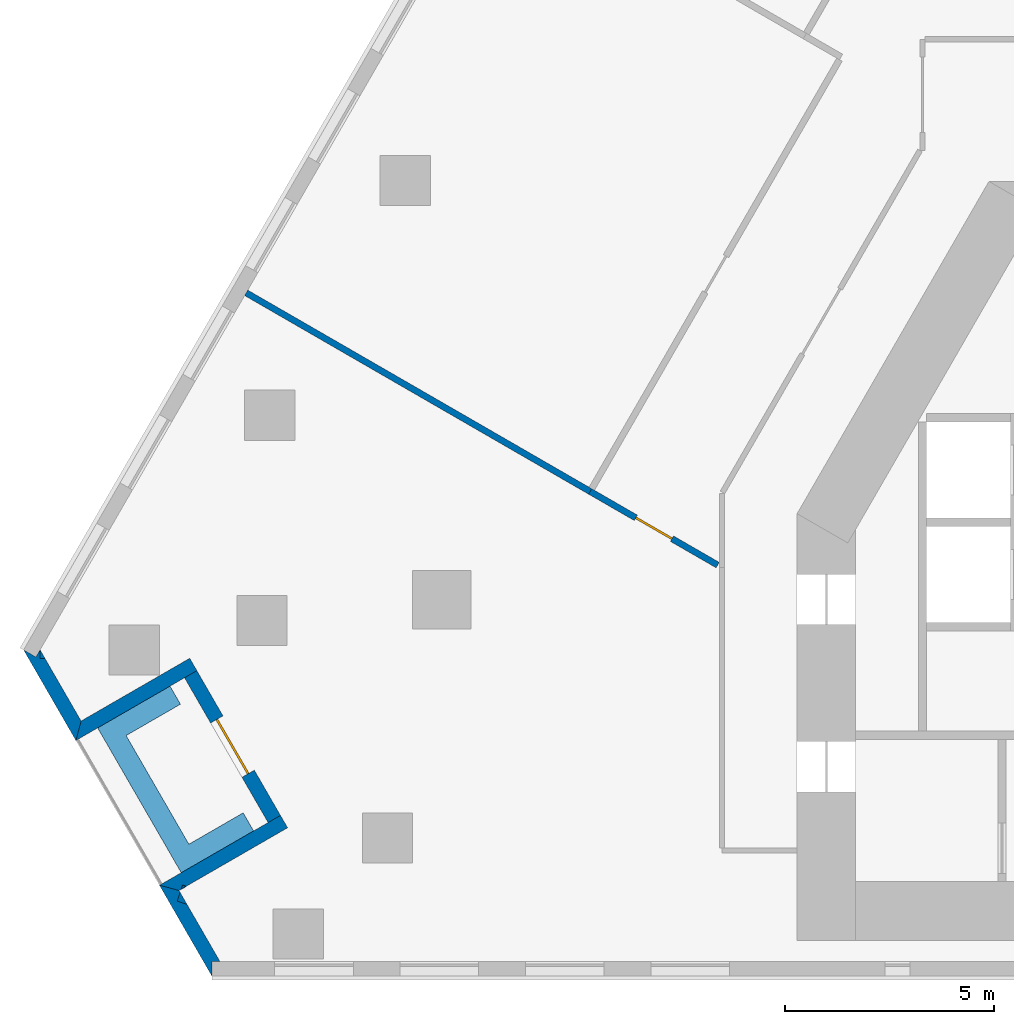
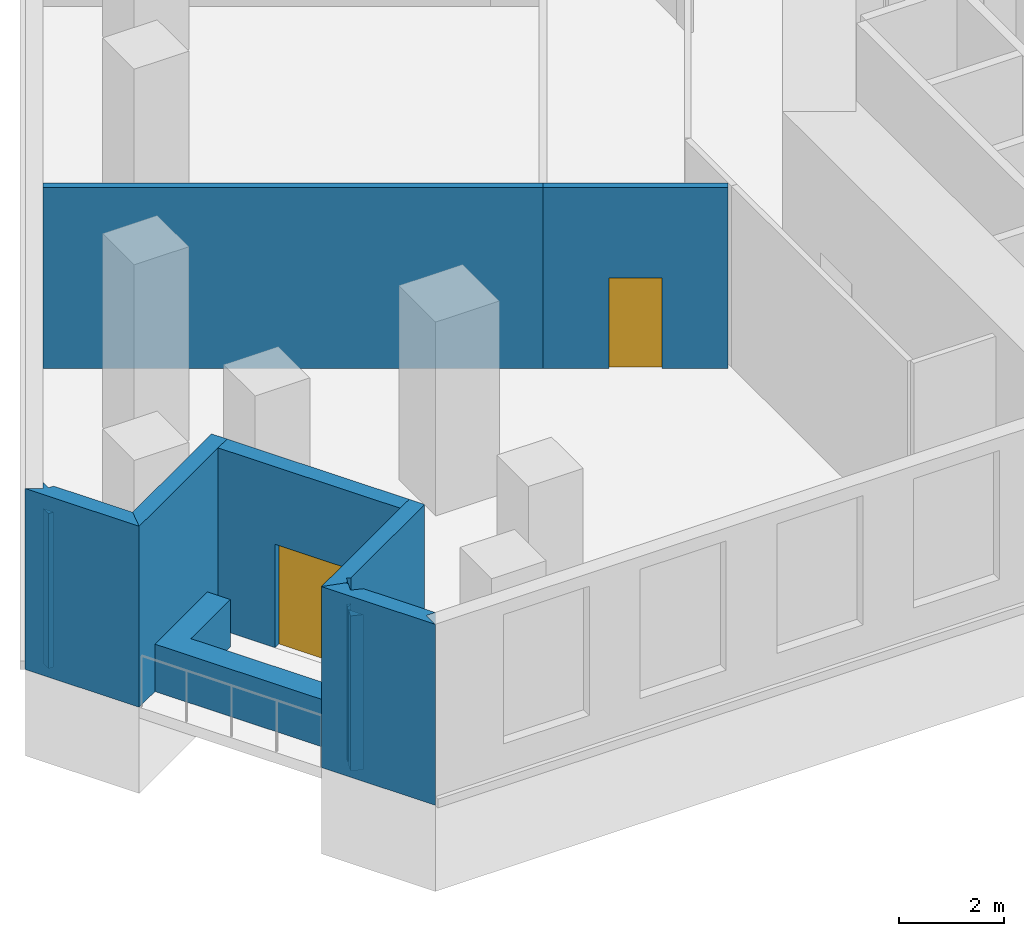
# One storey, part 2 of 13: 11 walls, 2 doors, 2 openings.
"""IFC4 building model written with IfcOpenShell, lengths in metres."""

from ifc_helpers import new_model, si_unit, direction, frame, frame_2d, origin, place, context, subcontext, project, spatial, polyline, rectangle, outline, extrude, material, layer, layer_set, type_object, element, fill, save


model = new_model("IFC4")

# Units and contexts
model_context = context("Model", 3, precision=1e-05, world=origin(), true_north=direction((0.0, 1.0)))
body_context = subcontext(model_context, "Body", "Model", "MODEL_VIEW")
ifc_project = project(units=[si_unit("LENGTHUNIT", "METRE"), si_unit("AREAUNIT", "SQUARE_METRE"), si_unit("VOLUMEUNIT", "CUBIC_METRE"), si_unit("PLANEANGLEUNIT", "RADIAN"), si_unit("MASSUNIT", "GRAM", prefix="KILO")], contexts=[model_context])

# Site, building, storey
site_placement = place(None, origin())
site = spatial("IfcSite", under=ifc_project, at=site_placement, CompositionType="ELEMENT")
building_placement = place(site_placement, origin())
building = spatial("IfcBuilding", under=site, at=building_placement, Name="Fogline Exchange Tower", CompositionType="ELEMENT")
storey_placement = place(building_placement, frame((0.0, 0.0, 25.0)))
storey = spatial("IfcBuildingStorey", under=building, at=storey_placement, Name="L04", CompositionType="ELEMENT", Elevation=25.0)

# Walls
ifc_material_1 = material(Name="Brick masonry", Category="masonry")
ifc_layer_1 = layer(ifc_material_1, 0.340087890625)
ifc_layer_set_1 = layer_set([ifc_layer_1], Name="FW1")
wall_type_1 = type_object("IfcWallType", Name="FW1", PredefinedType="SOLIDWALL", material=ifc_layer_set_1)
wall_1_placement = place(storey_placement, origin())
element("IfcWall", 1, at=wall_1_placement, inside=storey, type_object=wall_type_1, Name="Brick wall L04 SW-c1", PredefinedType="SOLIDWALL", context=body_context, shape_type="SweptSolid", body=[
    extrude(outline(polyline([(-31.9912109375, 7.59423828125), (-32.107421875, 7.59423828125), (-32.107421875, 7.79541015625), (-31.9912109375, 7.59423828125)])), origin(), (0.0, 0.0, 1.0), 3.60009765625),
])
wall_2_placement = place(storey_placement, origin())
element("IfcWall", 2, at=wall_2_placement, inside=storey, type_object=wall_type_1, Name="Brick wall L04 SW-c1", PredefinedType="SOLIDWALL", context=body_context, shape_type="SweptSolid", body=[
    extrude(outline(polyline([(-32.5009765625, 7.794921875), (-32.500732421875, 7.79541015625), (-32.205810546875, 7.625), (-32.107421875, 7.79541015625), (-32.107421875, 7.59423828125), (-31.9912109375, 7.59423828125), (-31.125, 6.09375), (-31.249755859375, 5.6279296875), (-31.25, 5.6279296875), (-32.5009765625, 7.794921875)])), origin(), (0.0, 0.0, 1.0), 4.199951171875),
])
wall_3_placement = place(storey_placement, origin())
element("IfcWall", 3, at=wall_3_placement, inside=storey, type_object=wall_type_1, Name="Brick wall L04 SW-s1", PredefinedType="SOLIDWALL", context=body_context, shape_type="SweptSolid", body=[
    extrude(outline(polyline([(-28.52734375, 7.594482421875), (-28.356689453125, 7.298828125), (-28.651611328125, 7.128662109375), (-31.25048828125, 5.628173828125), (-31.250732421875, 5.62841796875), (-31.1259765625, 6.093994140625), (-28.52734375, 7.594482421875)])), origin(), (0.0, 0.0, 1.0), 4.199951171875),
])

# Wall, opening, door
wall_4_placement = place(storey_placement, frame((-28.504638671875, 7.214111328125, 0.0), z_axis=(0.0, 0.0, 1.0), x_axis=(0.49999894854, -0.866026010844, 0.0)))
wall_4 = element("IfcWall", 4, at=wall_4_placement, inside=storey, type_object=wall_type_1, Name="Brick wall L04 SW-bk", PredefinedType="SOLIDWALL", context=body_context, shape_type="SweptSolid", body=[
    extrude(rectangle(XDim=4.0, YDim=0.340087890625, at=frame_2d((2.0, 0.0))), origin(), (0.0, 0.0, 1.0), 4.199951171875),
])
opening_1_placement = place(wall_4_placement, frame((1.25, 0.0, 0.0)))
opening_1 = element("IfcOpeningElement", 5, at=opening_1_placement, cuts=wall_4, Name="Opening T00-E021", PredefinedType="OPENING", context=body_context, shape_type="SweptSolid", body=[
    extrude(rectangle(XDim=1.5, YDim=2.39990234375, at=frame_2d((0.75, 1.199951171875))), frame((0.0, 0.18017578125, 0.0), z_axis=(0.0, -1.0, 0.0), x_axis=(1.0, 0.0, 0.0)), (0.0, 0.0, 1.0), 0.360107421875),
])
ifc_material_2 = material(Name="Aluminium and glass", Category="aluminium")
door_type_1 = type_object("IfcDoorType", Name="ED4", OperationType="SINGLE_SWING_LEFT", PredefinedType="DOOR", material=ifc_material_2)
door_1_placement = place(opening_1_placement, frame((1.5, 0.0, 0.0), z_axis=(0.0, 0.0, 1.0), x_axis=(-1.0, 0.0, 0.0)))
door_1 = element("IfcDoor", 6, at=door_1_placement, inside=storey, type_object=door_type_1, Name="Balcony door L04 SW", OperationType="DOUBLE_DOOR_SINGLE_SWING", OverallHeight=2.39990234375, OverallWidth=1.5, PredefinedType="DOOR", context=body_context, shape_type="SweptSolid", body=[
    extrude(rectangle(XDim=1.5, YDim=2.39990234375, at=frame_2d((0.75, 1.199951171875))), frame((0.0, 0.02490234375, 0.0), z_axis=(0.0, -1.0, 0.0), x_axis=(1.0, 0.0, 0.0)), (0.0, 0.0, 1.0), 0.050048828125),
])
fill(opening_1, door_1)

# Walls
wall_5_placement = place(storey_placement, origin())
element("IfcWall", 7, at=wall_5_placement, inside=storey, type_object=wall_type_1, Name="Brick wall L04 SW-s2", PredefinedType="SOLIDWALL", context=body_context, shape_type="SweptSolid", body=[
    extrude(outline(polyline([(-28.7294921875, 2.072265625), (-28.697265625, 2.16552734375), (-28.616455078125, 2.1376953125), (-28.7294921875, 2.072265625)])), origin(), (0.0, 0.0, 1.0), 3.60009765625),
])
wall_6_placement = place(storey_placement, origin())
element("IfcWall", 8, at=wall_6_placement, inside=storey, type_object=wall_type_1, Name="Brick wall L04 SW-s2", PredefinedType="SOLIDWALL", context=body_context, shape_type="SweptSolid", body=[
    extrude(outline(polyline([(-26.652099609375, 3.66552734375), (-26.357177734375, 3.8359375), (-26.186767578125, 3.540283203125), (-28.616455078125, 2.1376953125), (-28.697265625, 2.16552734375), (-28.7294921875, 2.072265625), (-28.785400390625, 2.0400390625), (-29.251220703125, 2.164794921875), (-29.251220703125, 2.1650390625), (-26.652099609375, 3.66552734375)])), origin(), (0.0, 0.0, 1.0), 4.199951171875),
])
wall_7_placement = place(storey_placement, origin())
element("IfcWall", 9, at=wall_7_placement, inside=storey, type_object=wall_type_1, Name="Brick wall L04 SW-c2", PredefinedType="SOLIDWALL", context=body_context, shape_type="SweptSolid", body=[
    extrude(outline(polyline([(-28.591552734375, 1.705810546875), (-28.827880859375, 1.787353515625), (-28.757080078125, 1.992431640625), (-28.591552734375, 1.705810546875)])), origin(), (0.0, 0.0, 1.0), 3.60009765625),
])
wall_8_placement = place(storey_placement, origin())
element("IfcWall", 10, at=wall_8_placement, inside=storey, type_object=wall_type_1, Name="Brick wall L04 SW-c2", PredefinedType="SOLIDWALL", context=body_context, shape_type="SweptSolid", body=[
    extrude(outline(polyline([(-27.99951171875, 0.33935546875), (-27.99951171875, -0.0009765625), (-28.0, -0.001220703125), (-29.2509765625, 2.165771484375), (-29.2509765625, 2.166015625), (-28.78515625, 2.041015625), (-28.757080078125, 1.992431640625), (-28.827880859375, 1.787353515625), (-28.591552734375, 1.705810546875), (-27.802734375, 0.33935546875), (-27.99951171875, 0.33935546875)])), origin(), (0.0, 0.0, 1.0), 4.199951171875),
])
ifc_material_3 = material(Name="Concrete C30", Category="concrete")
ifc_layer_2 = layer(ifc_material_3, 0.199951171875)
ifc_layer_set_2 = layer_set([ifc_layer_2], Name="PL1")
wall_type_2 = type_object("IfcWallType", Name="PL1", PredefinedType="USERDEFINED", material=ifc_layer_set_2)
wall_9_placement = place(storey_placement, origin())
element("IfcWall", 11, at=wall_9_placement, inside=storey, type_object=wall_type_2, Name="PLANTER balcony L04 SW", ObjectType="PLANTER", PredefinedType="USERDEFINED", context=body_context, shape_type="SweptSolid", body=[
    extrude(outline(polyline([(-27.248291015625, 3.898193359375), (-28.54736328125, 3.148193359375), (-30.04736328125, 5.74609375), (-28.748291015625, 6.49609375), (-28.998291015625, 6.92919921875), (-30.73046875, 5.92919921875), (-30.48046875, 5.49609375), (-28.73046875, 2.465087890625), (-28.29736328125, 2.715087890625), (-28.29736328125, 2.715087890625), (-26.998291015625, 3.465087890625), (-27.248291015625, 3.898193359375)])), origin(), (0.0, 0.0, 1.0), 1.10009765625),
])

# Wall, opening, door
ifc_material_4 = material(Name="Plasterboard demising partition with mineral wool and acoustic board")
ifc_layer_3 = layer(ifc_material_4, 0.14990234375)
ifc_layer_set_3 = layer_set([ifc_layer_3], Name="PW3")
wall_type_3 = type_object("IfcWallType", Name="PW3", PredefinedType="PARTITIONING", material=ifc_layer_set_3)
wall_10_placement = place(storey_placement, frame((-15.900390625, 9.823974609375, 0.0), z_axis=(0.0, 0.0, 1.0), x_axis=(-0.866058575552, 0.499942540411, 0.0)))
wall_10 = element("IfcWall", 12, at=wall_10_placement, inside=storey, type_object=wall_type_3, Name="wall-L04-W035", PredefinedType="PARTITIONING", context=body_context, shape_type="SweptSolid", body=[
    extrude(rectangle(XDim=3.52099609375, YDim=0.14990234375, at=frame_2d((1.760498046875, 0.0))), origin(), (0.0, 0.0, 1.0), 4.199951171875),
])
opening_2_placement = place(wall_10_placement, frame((1.260498046875, 0.0, 0.0)))
opening_2 = element("IfcOpeningElement", 13, at=opening_2_placement, cuts=wall_10, Name="Opening T00-D013", PredefinedType="OPENING", context=body_context, shape_type="SweptSolid", body=[
    extrude(rectangle(XDim=1.0, YDim=2.10009765625, at=frame_2d((0.5, 1.050048828125))), frame((0.0, 0.0849609375, 0.0), z_axis=(0.0, -1.0, 0.0), x_axis=(1.0, 0.0, 0.0)), (0.0, 0.0, 1.0), 0.169921875),
])
ifc_material_5 = material(Name="Fire-rated timber door leaf with steel frame", Category="steel")
door_type_2 = type_object("IfcDoorType", Name="D3", OperationType="SINGLE_SWING_LEFT", PredefinedType="DOOR", material=ifc_material_5)
door_2_placement = place(opening_2_placement, origin())
door_2 = element("IfcDoor", 14, at=door_2_placement, inside=storey, type_object=door_type_2, Name="door-L04-D013", OperationType="SINGLE_SWING_RIGHT", OverallHeight=2.10009765625, OverallWidth=1.0, PredefinedType="DOOR", context=body_context, shape_type="SweptSolid", body=[
    extrude(rectangle(XDim=1.0, YDim=2.10009765625, at=frame_2d((0.5, 1.050048828125))), frame((0.0, 0.02490234375, 0.0), z_axis=(0.0, -1.0, 0.0), x_axis=(1.0, 0.0, 0.0)), (0.0, 0.0, 1.0), 0.050048828125),
])
fill(opening_2, door_2)

# Wall
wall_11_placement = place(storey_placement, frame((-18.94970703125, 11.584228515625, 0.0), z_axis=(0.0, 0.0, 1.0), x_axis=(-0.866020389056, 0.500008685663, 0.0)))
element("IfcWall", 15, at=wall_11_placement, inside=storey, type_object=wall_type_3, Name="wall-L04-W044", PredefinedType="PARTITIONING", context=body_context, shape_type="SweptSolid", body=[
    extrude(rectangle(XDim=9.499755859375, YDim=0.14990234375, at=frame_2d((4.75, 0.0))), origin(), (0.0, 0.0, 1.0), 4.199951171875),
])

save(model, "model.ifc")
